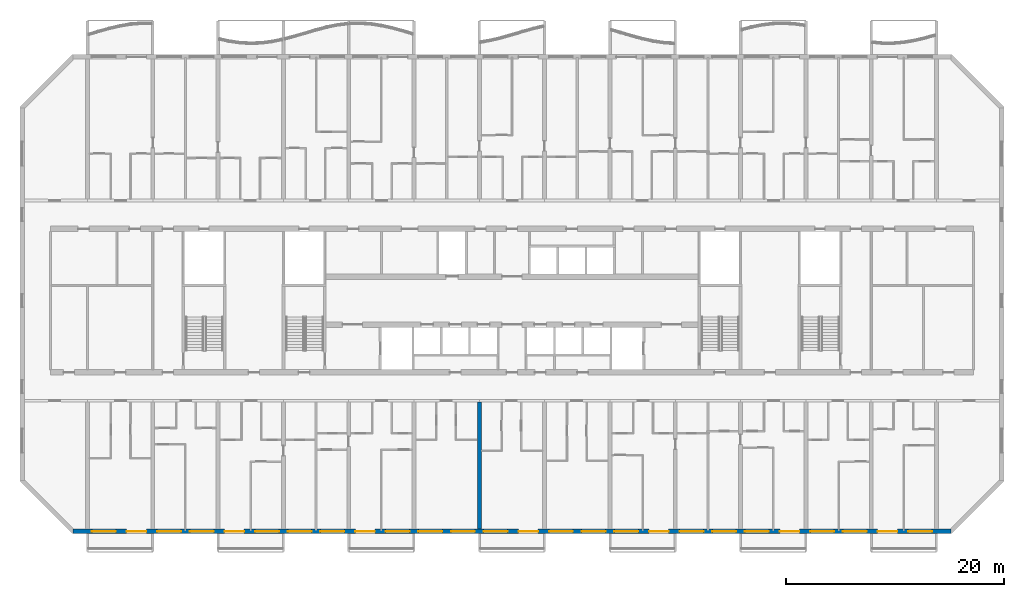
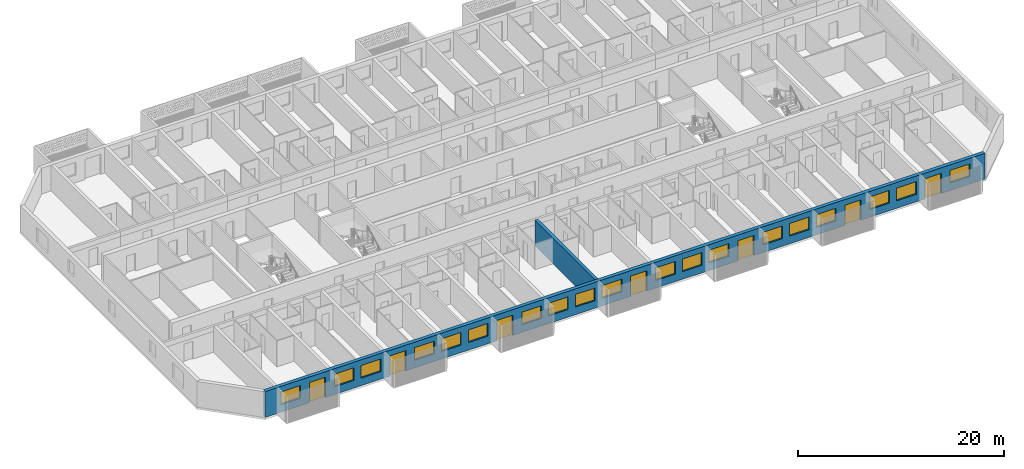
# One storey, part 4 of 25: 19 windows, 7 doors, 2 walls, 26 openings.
"""IFC4 building model written with IfcOpenShell, lengths in metres."""

from ifc_helpers import new_model, si_unit, direction, frame, frame_2d, origin, place, context, subcontext, project, spatial, rectangle, extrude, material, layer, layer_set, type_object, element, fill, save


model = new_model("IFC4")

# Units and contexts
model_context = context("Model", 3, precision=1e-05, world=origin(), true_north=direction((0.0, 1.0)))
body_context = subcontext(model_context, "Body", "Model", "MODEL_VIEW")
ifc_project = project(units=[si_unit("LENGTHUNIT", "METRE"), si_unit("AREAUNIT", "SQUARE_METRE"), si_unit("VOLUMEUNIT", "CUBIC_METRE"), si_unit("PLANEANGLEUNIT", "RADIAN"), si_unit("MASSUNIT", "GRAM", prefix="KILO")], contexts=[model_context])

# Site, building, storey
site_placement = place(None, origin())
site = spatial("IfcSite", under=ifc_project, at=site_placement, CompositionType="ELEMENT")
building_placement = place(site_placement, origin())
building = spatial("IfcBuilding", under=site, at=building_placement, Name="Poui Terraces", CompositionType="ELEMENT")
storey_placement = place(building_placement, frame((0.0, 0.0, 89.39990234375)))
storey = spatial("IfcBuildingStorey", under=building, at=storey_placement, Name="L24", CompositionType="ELEMENT", Elevation=89.39990234375)

# Wall
ifc_material_1 = material(Name="Concrete 65 MPa", Category="concrete")
ifc_layer_1 = layer(ifc_material_1, 0.35009765625)
ifc_layer_set_1 = layer_set([ifc_layer_1], Name="Concrete 65 MPa")
wall_type_1 = type_object("IfcWallType", Name="CROSS WALL 350 65MPa", PredefinedType="SHEAR", material=ifc_layer_set_1)
wall_1_placement = place(storey_placement, frame((48.0, 0.199951171875, 0.0), z_axis=(0.0, 0.0, 1.0), x_axis=(0.0, 1.0, 0.0)))
element("IfcWall", 1, at=wall_1_placement, inside=storey, type_object=wall_type_1, Name="CROSS WALL LINE 9 SOUTH", PredefinedType="SHEAR", context=body_context, shape_type="SweptSolid", body=[
    extrude(rectangle(XDim=11.675048828125, YDim=0.35009765625, at=frame_2d((5.83740234375, 0.0))), origin(), (0.0, 0.0, 1.0), 3.06005859375),
])

# Wall, openings, doors, windows
ifc_material_2 = material(Name="Precast concrete 40 MPa", Category="concrete")
ifc_layer_2 = layer(ifc_material_2, 0.39990234375)
ifc_layer_set_2 = layer_set([ifc_layer_2], Name="Precast concrete 40 MPa")
wall_type_2 = type_object("IfcWallType", Name="EXTERNAL WALL 400", PredefinedType="STANDARD", material=ifc_layer_set_2)
wall_2_placement = place(storey_placement, frame((10.682861328125, 0.0, 0.0), z_axis=(0.0, 0.0, 1.0), x_axis=(1.0, 0.0, 0.0)))
wall_2 = element("IfcWall", 2, at=wall_2_placement, inside=storey, type_object=wall_type_2, Name="EXTERNAL WALL S", PredefinedType="STANDARD", context=body_context, shape_type="SweptSolid", body=[
    extrude(rectangle(XDim=80.63427734375, YDim=0.39990234375, at=frame_2d((40.317138671875, 0.0))), origin(), (0.0, 0.0, 1.0), 3.06005859375),
])
opening_1_placement = place(wall_2_placement, frame((1.71728515625, 0.0, 0.89990234375)))
opening_1 = element("IfcOpeningElement", 3, at=opening_1_placement, cuts=wall_2, Name="Opening W1", PredefinedType="OPENING", context=body_context, shape_type="SweptSolid", body=[
    extrude(rectangle(XDim=2.199951171875, YDim=1.5, at=frame_2d((1.10009765625, 0.75))), frame((0.0, 0.2099609375, 0.0), z_axis=(0.0, -1.0, 0.0), x_axis=(1.0, 0.0, 0.0)), (0.0, 0.0, 1.0), 0.419921875),
])
opening_2_placement = place(wall_2_placement, frame((4.917236328125, 0.0, 0.0)))
opening_2 = element("IfcOpeningElement", 4, at=opening_2_placement, cuts=wall_2, Name="Opening BD1", PredefinedType="OPENING", context=body_context, shape_type="SweptSolid", body=[
    extrude(rectangle(XDim=1.800048828125, YDim=2.39990234375, at=frame_2d((0.89990234375, 1.199951171875))), frame((0.0, 0.2099609375, 0.0), z_axis=(0.0, -1.0, 0.0), x_axis=(1.0, 0.0, 0.0)), (0.0, 0.0, 1.0), 0.419921875),
])
opening_3_placement = place(wall_2_placement, frame((7.71728515625, 0.0, 0.89990234375)))
opening_3 = element("IfcOpeningElement", 5, at=opening_3_placement, cuts=wall_2, Name="Opening W1", PredefinedType="OPENING", context=body_context, shape_type="SweptSolid", body=[
    extrude(rectangle(XDim=2.199951171875, YDim=1.5, at=frame_2d((1.10009765625, 0.75))), frame((0.0, 0.2099609375, 0.0), z_axis=(0.0, -1.0, 0.0), x_axis=(1.0, 0.0, 0.0)), (0.0, 0.0, 1.0), 0.419921875),
])
opening_4_placement = place(wall_2_placement, frame((10.71728515625, 0.0, 0.89990234375)))
opening_4 = element("IfcOpeningElement", 6, at=opening_4_placement, cuts=wall_2, Name="Opening W1", PredefinedType="OPENING", context=body_context, shape_type="SweptSolid", body=[
    extrude(rectangle(XDim=2.199951171875, YDim=1.5, at=frame_2d((1.10009765625, 0.75))), frame((0.0, 0.2099609375, 0.0), z_axis=(0.0, -1.0, 0.0), x_axis=(1.0, 0.0, 0.0)), (0.0, 0.0, 1.0), 0.419921875),
])
opening_5_placement = place(wall_2_placement, frame((13.917236328125, 0.0, 0.0)))
opening_5 = element("IfcOpeningElement", 7, at=opening_5_placement, cuts=wall_2, Name="Opening BD1", PredefinedType="OPENING", context=body_context, shape_type="SweptSolid", body=[
    extrude(rectangle(XDim=1.800048828125, YDim=2.39990234375, at=frame_2d((0.89990234375, 1.199951171875))), frame((0.0, 0.2099609375, 0.0), z_axis=(0.0, -1.0, 0.0), x_axis=(1.0, 0.0, 0.0)), (0.0, 0.0, 1.0), 0.419921875),
])
opening_6_placement = place(wall_2_placement, frame((16.71728515625, 0.0, 0.89990234375)))
opening_6 = element("IfcOpeningElement", 8, at=opening_6_placement, cuts=wall_2, Name="Opening W1", PredefinedType="OPENING", context=body_context, shape_type="SweptSolid", body=[
    extrude(rectangle(XDim=2.199951171875, YDim=1.5, at=frame_2d((1.10009765625, 0.75))), frame((0.0, 0.2099609375, 0.0), z_axis=(0.0, -1.0, 0.0), x_axis=(1.0, 0.0, 0.0)), (0.0, 0.0, 1.0), 0.419921875),
])
opening_7_placement = place(wall_2_placement, frame((19.71728515625, 0.0, 0.89990234375)))
opening_7 = element("IfcOpeningElement", 9, at=opening_7_placement, cuts=wall_2, Name="Opening W1", PredefinedType="OPENING", context=body_context, shape_type="SweptSolid", body=[
    extrude(rectangle(XDim=2.199951171875, YDim=1.5, at=frame_2d((1.10009765625, 0.75))), frame((0.0, 0.2099609375, 0.0), z_axis=(0.0, -1.0, 0.0), x_axis=(1.0, 0.0, 0.0)), (0.0, 0.0, 1.0), 0.419921875),
])
opening_8_placement = place(wall_2_placement, frame((22.71728515625, 0.0, 0.89990234375)))
opening_8 = element("IfcOpeningElement", 10, at=opening_8_placement, cuts=wall_2, Name="Opening W1", PredefinedType="OPENING", context=body_context, shape_type="SweptSolid", body=[
    extrude(rectangle(XDim=2.199951171875, YDim=1.5, at=frame_2d((1.10009765625, 0.75))), frame((0.0, 0.2099609375, 0.0), z_axis=(0.0, -1.0, 0.0), x_axis=(1.0, 0.0, 0.0)), (0.0, 0.0, 1.0), 0.419921875),
])
opening_9_placement = place(wall_2_placement, frame((25.917236328125, 0.0, 0.0)))
opening_9 = element("IfcOpeningElement", 11, at=opening_9_placement, cuts=wall_2, Name="Opening BD1", PredefinedType="OPENING", context=body_context, shape_type="SweptSolid", body=[
    extrude(rectangle(XDim=1.800048828125, YDim=2.39990234375, at=frame_2d((0.89990234375, 1.199951171875))), frame((0.0, 0.2099609375, 0.0), z_axis=(0.0, -1.0, 0.0), x_axis=(1.0, 0.0, 0.0)), (0.0, 0.0, 1.0), 0.419921875),
])
opening_10_placement = place(wall_2_placement, frame((28.71728515625, 0.0, 0.89990234375)))
opening_10 = element("IfcOpeningElement", 12, at=opening_10_placement, cuts=wall_2, Name="Opening W1", PredefinedType="OPENING", context=body_context, shape_type="SweptSolid", body=[
    extrude(rectangle(XDim=2.199951171875, YDim=1.5, at=frame_2d((1.10009765625, 0.75))), frame((0.0, 0.2099609375, 0.0), z_axis=(0.0, -1.0, 0.0), x_axis=(1.0, 0.0, 0.0)), (0.0, 0.0, 1.0), 0.419921875),
])
opening_11_placement = place(wall_2_placement, frame((31.71728515625, 0.0, 0.89990234375)))
opening_11 = element("IfcOpeningElement", 13, at=opening_11_placement, cuts=wall_2, Name="Opening W1", PredefinedType="OPENING", context=body_context, shape_type="SweptSolid", body=[
    extrude(rectangle(XDim=2.199951171875, YDim=1.5, at=frame_2d((1.10009765625, 0.75))), frame((0.0, 0.2099609375, 0.0), z_axis=(0.0, -1.0, 0.0), x_axis=(1.0, 0.0, 0.0)), (0.0, 0.0, 1.0), 0.419921875),
])
opening_12_placement = place(wall_2_placement, frame((34.71728515625, 0.0, 0.89990234375)))
opening_12 = element("IfcOpeningElement", 14, at=opening_12_placement, cuts=wall_2, Name="Opening W1", PredefinedType="OPENING", context=body_context, shape_type="SweptSolid", body=[
    extrude(rectangle(XDim=2.199951171875, YDim=1.5, at=frame_2d((1.10009765625, 0.75))), frame((0.0, 0.2099609375, 0.0), z_axis=(0.0, -1.0, 0.0), x_axis=(1.0, 0.0, 0.0)), (0.0, 0.0, 1.0), 0.419921875),
])
opening_13_placement = place(wall_2_placement, frame((37.71728515625, 0.0, 0.89990234375)))
opening_13 = element("IfcOpeningElement", 15, at=opening_13_placement, cuts=wall_2, Name="Opening W1", PredefinedType="OPENING", context=body_context, shape_type="SweptSolid", body=[
    extrude(rectangle(XDim=2.199951171875, YDim=1.5, at=frame_2d((1.10009765625, 0.75))), frame((0.0, 0.2099609375, 0.0), z_axis=(0.0, -1.0, 0.0), x_axis=(1.0, 0.0, 0.0)), (0.0, 0.0, 1.0), 0.419921875),
])
opening_14_placement = place(wall_2_placement, frame((40.917236328125, 0.0, 0.0)))
opening_14 = element("IfcOpeningElement", 16, at=opening_14_placement, cuts=wall_2, Name="Opening BD1", PredefinedType="OPENING", context=body_context, shape_type="SweptSolid", body=[
    extrude(rectangle(XDim=1.800048828125, YDim=2.39990234375, at=frame_2d((0.89990234375, 1.199951171875))), frame((0.0, 0.2099609375, 0.0), z_axis=(0.0, -1.0, 0.0), x_axis=(1.0, 0.0, 0.0)), (0.0, 0.0, 1.0), 0.419921875),
])
opening_15_placement = place(wall_2_placement, frame((43.71728515625, 0.0, 0.89990234375)))
opening_15 = element("IfcOpeningElement", 17, at=opening_15_placement, cuts=wall_2, Name="Opening W1", PredefinedType="OPENING", context=body_context, shape_type="SweptSolid", body=[
    extrude(rectangle(XDim=2.199951171875, YDim=1.5, at=frame_2d((1.10009765625, 0.75))), frame((0.0, 0.2099609375, 0.0), z_axis=(0.0, -1.0, 0.0), x_axis=(1.0, 0.0, 0.0)), (0.0, 0.0, 1.0), 0.419921875),
])
opening_16_placement = place(wall_2_placement, frame((46.71728515625, 0.0, 0.89990234375)))
opening_16 = element("IfcOpeningElement", 18, at=opening_16_placement, cuts=wall_2, Name="Opening W1", PredefinedType="OPENING", context=body_context, shape_type="SweptSolid", body=[
    extrude(rectangle(XDim=2.199951171875, YDim=1.5, at=frame_2d((1.10009765625, 0.75))), frame((0.0, 0.2099609375, 0.0), z_axis=(0.0, -1.0, 0.0), x_axis=(1.0, 0.0, 0.0)), (0.0, 0.0, 1.0), 0.419921875),
])
opening_17_placement = place(wall_2_placement, frame((49.71728515625, 0.0, 0.89990234375)))
opening_17 = element("IfcOpeningElement", 19, at=opening_17_placement, cuts=wall_2, Name="Opening W1", PredefinedType="OPENING", context=body_context, shape_type="SweptSolid", body=[
    extrude(rectangle(XDim=2.199951171875, YDim=1.5, at=frame_2d((1.10009765625, 0.75))), frame((0.0, 0.2099609375, 0.0), z_axis=(0.0, -1.0, 0.0), x_axis=(1.0, 0.0, 0.0)), (0.0, 0.0, 1.0), 0.419921875),
])
opening_18_placement = place(wall_2_placement, frame((52.917236328125, 0.0, 0.0)))
opening_18 = element("IfcOpeningElement", 20, at=opening_18_placement, cuts=wall_2, Name="Opening BD1", PredefinedType="OPENING", context=body_context, shape_type="SweptSolid", body=[
    extrude(rectangle(XDim=1.800048828125, YDim=2.39990234375, at=frame_2d((0.89990234375, 1.199951171875))), frame((0.0, 0.2099609375, 0.0), z_axis=(0.0, -1.0, 0.0), x_axis=(1.0, 0.0, 0.0)), (0.0, 0.0, 1.0), 0.419921875),
])
opening_19_placement = place(wall_2_placement, frame((55.71728515625, 0.0, 0.89990234375)))
opening_19 = element("IfcOpeningElement", 21, at=opening_19_placement, cuts=wall_2, Name="Opening W1", PredefinedType="OPENING", context=body_context, shape_type="SweptSolid", body=[
    extrude(rectangle(XDim=2.199951171875, YDim=1.5, at=frame_2d((1.10009765625, 0.75))), frame((0.0, 0.2099609375, 0.0), z_axis=(0.0, -1.0, 0.0), x_axis=(1.0, 0.0, 0.0)), (0.0, 0.0, 1.0), 0.419921875),
])
opening_20_placement = place(wall_2_placement, frame((58.71728515625, 0.0, 0.89990234375)))
opening_20 = element("IfcOpeningElement", 22, at=opening_20_placement, cuts=wall_2, Name="Opening W1", PredefinedType="OPENING", context=body_context, shape_type="SweptSolid", body=[
    extrude(rectangle(XDim=2.199951171875, YDim=1.5, at=frame_2d((1.10009765625, 0.75))), frame((0.0, 0.2099609375, 0.0), z_axis=(0.0, -1.0, 0.0), x_axis=(1.0, 0.0, 0.0)), (0.0, 0.0, 1.0), 0.419921875),
])
opening_21_placement = place(wall_2_placement, frame((61.71728515625, 0.0, 0.89990234375)))
opening_21 = element("IfcOpeningElement", 23, at=opening_21_placement, cuts=wall_2, Name="Opening W1", PredefinedType="OPENING", context=body_context, shape_type="SweptSolid", body=[
    extrude(rectangle(XDim=2.199951171875, YDim=1.5, at=frame_2d((1.10009765625, 0.75))), frame((0.0, 0.2099609375, 0.0), z_axis=(0.0, -1.0, 0.0), x_axis=(1.0, 0.0, 0.0)), (0.0, 0.0, 1.0), 0.419921875),
])
opening_22_placement = place(wall_2_placement, frame((64.917236328125, 0.0, 0.0)))
opening_22 = element("IfcOpeningElement", 24, at=opening_22_placement, cuts=wall_2, Name="Opening BD1", PredefinedType="OPENING", context=body_context, shape_type="SweptSolid", body=[
    extrude(rectangle(XDim=1.800048828125, YDim=2.39990234375, at=frame_2d((0.89990234375, 1.199951171875))), frame((0.0, 0.2099609375, 0.0), z_axis=(0.0, -1.0, 0.0), x_axis=(1.0, 0.0, 0.0)), (0.0, 0.0, 1.0), 0.419921875),
])
opening_23_placement = place(wall_2_placement, frame((67.71728515625, 0.0, 0.89990234375)))
opening_23 = element("IfcOpeningElement", 25, at=opening_23_placement, cuts=wall_2, Name="Opening W1", PredefinedType="OPENING", context=body_context, shape_type="SweptSolid", body=[
    extrude(rectangle(XDim=2.199951171875, YDim=1.5, at=frame_2d((1.10009765625, 0.75))), frame((0.0, 0.2099609375, 0.0), z_axis=(0.0, -1.0, 0.0), x_axis=(1.0, 0.0, 0.0)), (0.0, 0.0, 1.0), 0.419921875),
])
opening_24_placement = place(wall_2_placement, frame((70.71728515625, 0.0, 0.89990234375)))
opening_24 = element("IfcOpeningElement", 26, at=opening_24_placement, cuts=wall_2, Name="Opening W1", PredefinedType="OPENING", context=body_context, shape_type="SweptSolid", body=[
    extrude(rectangle(XDim=2.199951171875, YDim=1.5, at=frame_2d((1.10009765625, 0.75))), frame((0.0, 0.2099609375, 0.0), z_axis=(0.0, -1.0, 0.0), x_axis=(1.0, 0.0, 0.0)), (0.0, 0.0, 1.0), 0.419921875),
])
opening_25_placement = place(wall_2_placement, frame((73.917236328125, 0.0, 0.0)))
opening_25 = element("IfcOpeningElement", 27, at=opening_25_placement, cuts=wall_2, Name="Opening BD1", PredefinedType="OPENING", context=body_context, shape_type="SweptSolid", body=[
    extrude(rectangle(XDim=1.800048828125, YDim=2.39990234375, at=frame_2d((0.89990234375, 1.199951171875))), frame((0.0, 0.2099609375, 0.0), z_axis=(0.0, -1.0, 0.0), x_axis=(1.0, 0.0, 0.0)), (0.0, 0.0, 1.0), 0.419921875),
])
opening_26_placement = place(wall_2_placement, frame((76.71728515625, 0.0, 0.89990234375)))
opening_26 = element("IfcOpeningElement", 28, at=opening_26_placement, cuts=wall_2, Name="Opening W1", PredefinedType="OPENING", context=body_context, shape_type="SweptSolid", body=[
    extrude(rectangle(XDim=2.199951171875, YDim=1.5, at=frame_2d((1.10009765625, 0.75))), frame((0.0, 0.2099609375, 0.0), z_axis=(0.0, -1.0, 0.0), x_axis=(1.0, 0.0, 0.0)), (0.0, 0.0, 1.0), 0.419921875),
])
ifc_material_3 = material(Name="Clear glass in aluminium frame", Category="aluminium")
door_type = type_object("IfcDoorType", Name="BALCONY DOOR 1800X2400", OperationType="DOUBLE_DOOR_SLIDING", PredefinedType="DOOR", material=ifc_material_3)
door_1_placement = place(opening_2_placement, origin())
door_1 = element("IfcDoor", 29, at=door_1_placement, inside=storey, type_object=door_type, Name="BD1 BALCONY DOOR", OperationType="DOUBLE_DOOR_SLIDING", OverallHeight=2.39990234375, OverallWidth=1.800048828125, PredefinedType="DOOR", context=body_context, shape_type="SweptSolid", body=[
    extrude(rectangle(XDim=1.800048828125, YDim=2.39990234375, at=frame_2d((0.89990234375, 1.199951171875))), frame((0.0, 0.02490234375, 0.0), z_axis=(0.0, -1.0, 0.0), x_axis=(1.0, 0.0, 0.0)), (0.0, 0.0, 1.0), 0.050048828125),
])
fill(opening_2, door_1)
door_2_placement = place(opening_5_placement, origin())
door_2 = element("IfcDoor", 30, at=door_2_placement, inside=storey, type_object=door_type, Name="BD1 BALCONY DOOR", OperationType="DOUBLE_DOOR_SLIDING", OverallHeight=2.39990234375, OverallWidth=1.800048828125, PredefinedType="DOOR", context=body_context, shape_type="SweptSolid", body=[
    extrude(rectangle(XDim=1.800048828125, YDim=2.39990234375, at=frame_2d((0.89990234375, 1.199951171875))), frame((0.0, 0.02490234375, 0.0), z_axis=(0.0, -1.0, 0.0), x_axis=(1.0, 0.0, 0.0)), (0.0, 0.0, 1.0), 0.050048828125),
])
fill(opening_5, door_2)
door_3_placement = place(opening_9_placement, origin())
door_3 = element("IfcDoor", 31, at=door_3_placement, inside=storey, type_object=door_type, Name="BD1 BALCONY DOOR", OperationType="DOUBLE_DOOR_SLIDING", OverallHeight=2.39990234375, OverallWidth=1.800048828125, PredefinedType="DOOR", context=body_context, shape_type="SweptSolid", body=[
    extrude(rectangle(XDim=1.800048828125, YDim=2.39990234375, at=frame_2d((0.89990234375, 1.199951171875))), frame((0.0, 0.02490234375, 0.0), z_axis=(0.0, -1.0, 0.0), x_axis=(1.0, 0.0, 0.0)), (0.0, 0.0, 1.0), 0.050048828125),
])
fill(opening_9, door_3)
door_4_placement = place(opening_14_placement, origin())
door_4 = element("IfcDoor", 32, at=door_4_placement, inside=storey, type_object=door_type, Name="BD1 BALCONY DOOR", OperationType="DOUBLE_DOOR_SLIDING", OverallHeight=2.39990234375, OverallWidth=1.800048828125, PredefinedType="DOOR", context=body_context, shape_type="SweptSolid", body=[
    extrude(rectangle(XDim=1.800048828125, YDim=2.39990234375, at=frame_2d((0.89990234375, 1.199951171875))), frame((0.0, 0.02490234375, 0.0), z_axis=(0.0, -1.0, 0.0), x_axis=(1.0, 0.0, 0.0)), (0.0, 0.0, 1.0), 0.050048828125),
])
fill(opening_14, door_4)
door_5_placement = place(opening_18_placement, origin())
door_5 = element("IfcDoor", 33, at=door_5_placement, inside=storey, type_object=door_type, Name="BD1 BALCONY DOOR", OperationType="DOUBLE_DOOR_SLIDING", OverallHeight=2.39990234375, OverallWidth=1.800048828125, PredefinedType="DOOR", context=body_context, shape_type="SweptSolid", body=[
    extrude(rectangle(XDim=1.800048828125, YDim=2.39990234375, at=frame_2d((0.89990234375, 1.199951171875))), frame((0.0, 0.02490234375, 0.0), z_axis=(0.0, -1.0, 0.0), x_axis=(1.0, 0.0, 0.0)), (0.0, 0.0, 1.0), 0.050048828125),
])
fill(opening_18, door_5)
door_6_placement = place(opening_22_placement, origin())
door_6 = element("IfcDoor", 34, at=door_6_placement, inside=storey, type_object=door_type, Name="BD1 BALCONY DOOR", OperationType="DOUBLE_DOOR_SLIDING", OverallHeight=2.39990234375, OverallWidth=1.800048828125, PredefinedType="DOOR", context=body_context, shape_type="SweptSolid", body=[
    extrude(rectangle(XDim=1.800048828125, YDim=2.39990234375, at=frame_2d((0.89990234375, 1.199951171875))), frame((0.0, 0.02490234375, 0.0), z_axis=(0.0, -1.0, 0.0), x_axis=(1.0, 0.0, 0.0)), (0.0, 0.0, 1.0), 0.050048828125),
])
fill(opening_22, door_6)
door_7_placement = place(opening_25_placement, origin())
door_7 = element("IfcDoor", 35, at=door_7_placement, inside=storey, type_object=door_type, Name="BD1 BALCONY DOOR", OperationType="DOUBLE_DOOR_SLIDING", OverallHeight=2.39990234375, OverallWidth=1.800048828125, PredefinedType="DOOR", context=body_context, shape_type="SweptSolid", body=[
    extrude(rectangle(XDim=1.800048828125, YDim=2.39990234375, at=frame_2d((0.89990234375, 1.199951171875))), frame((0.0, 0.02490234375, 0.0), z_axis=(0.0, -1.0, 0.0), x_axis=(1.0, 0.0, 0.0)), (0.0, 0.0, 1.0), 0.050048828125),
])
fill(opening_25, door_7)
window_type = type_object("IfcWindowType", Name="WINDOW 2200X1500", PartitioningType="DOUBLE_PANEL_HORIZONTAL", PredefinedType="WINDOW", material=ifc_material_3)
window_1_placement = place(opening_1_placement, origin())
window_1 = element("IfcWindow", 36, at=window_1_placement, inside=storey, type_object=window_type, Name="W1 WINDOW", OverallHeight=1.5, OverallWidth=2.199951171875, PartitioningType="DOUBLE_PANEL_HORIZONTAL", PredefinedType="WINDOW", context=body_context, shape_type="SweptSolid", body=[
    extrude(rectangle(XDim=2.199951171875, YDim=1.5, at=frame_2d((1.10009765625, 0.75))), frame((0.0, 0.030029296875, 0.0), z_axis=(0.0, -1.0, 0.0), x_axis=(1.0, 0.0, 0.0)), (0.0, 0.0, 1.0), 0.06005859375),
])
fill(opening_1, window_1)
window_2_placement = place(opening_3_placement, origin())
window_2 = element("IfcWindow", 37, at=window_2_placement, inside=storey, type_object=window_type, Name="W1 WINDOW", OverallHeight=1.5, OverallWidth=2.199951171875, PartitioningType="DOUBLE_PANEL_HORIZONTAL", PredefinedType="WINDOW", context=body_context, shape_type="SweptSolid", body=[
    extrude(rectangle(XDim=2.199951171875, YDim=1.5, at=frame_2d((1.10009765625, 0.75))), frame((0.0, 0.030029296875, 0.0), z_axis=(0.0, -1.0, 0.0), x_axis=(1.0, 0.0, 0.0)), (0.0, 0.0, 1.0), 0.06005859375),
])
fill(opening_3, window_2)
window_3_placement = place(opening_4_placement, origin())
window_3 = element("IfcWindow", 38, at=window_3_placement, inside=storey, type_object=window_type, Name="W1 WINDOW", OverallHeight=1.5, OverallWidth=2.199951171875, PartitioningType="DOUBLE_PANEL_HORIZONTAL", PredefinedType="WINDOW", context=body_context, shape_type="SweptSolid", body=[
    extrude(rectangle(XDim=2.199951171875, YDim=1.5, at=frame_2d((1.10009765625, 0.75))), frame((0.0, 0.030029296875, 0.0), z_axis=(0.0, -1.0, 0.0), x_axis=(1.0, 0.0, 0.0)), (0.0, 0.0, 1.0), 0.06005859375),
])
fill(opening_4, window_3)
window_4_placement = place(opening_6_placement, origin())
window_4 = element("IfcWindow", 39, at=window_4_placement, inside=storey, type_object=window_type, Name="W1 WINDOW", OverallHeight=1.5, OverallWidth=2.199951171875, PartitioningType="DOUBLE_PANEL_HORIZONTAL", PredefinedType="WINDOW", context=body_context, shape_type="SweptSolid", body=[
    extrude(rectangle(XDim=2.199951171875, YDim=1.5, at=frame_2d((1.10009765625, 0.75))), frame((0.0, 0.030029296875, 0.0), z_axis=(0.0, -1.0, 0.0), x_axis=(1.0, 0.0, 0.0)), (0.0, 0.0, 1.0), 0.06005859375),
])
fill(opening_6, window_4)
window_5_placement = place(opening_7_placement, origin())
window_5 = element("IfcWindow", 40, at=window_5_placement, inside=storey, type_object=window_type, Name="W1 WINDOW", OverallHeight=1.5, OverallWidth=2.199951171875, PartitioningType="DOUBLE_PANEL_HORIZONTAL", PredefinedType="WINDOW", context=body_context, shape_type="SweptSolid", body=[
    extrude(rectangle(XDim=2.199951171875, YDim=1.5, at=frame_2d((1.10009765625, 0.75))), frame((0.0, 0.030029296875, 0.0), z_axis=(0.0, -1.0, 0.0), x_axis=(1.0, 0.0, 0.0)), (0.0, 0.0, 1.0), 0.06005859375),
])
fill(opening_7, window_5)
window_6_placement = place(opening_8_placement, origin())
window_6 = element("IfcWindow", 41, at=window_6_placement, inside=storey, type_object=window_type, Name="W1 WINDOW", OverallHeight=1.5, OverallWidth=2.199951171875, PartitioningType="DOUBLE_PANEL_HORIZONTAL", PredefinedType="WINDOW", context=body_context, shape_type="SweptSolid", body=[
    extrude(rectangle(XDim=2.199951171875, YDim=1.5, at=frame_2d((1.10009765625, 0.75))), frame((0.0, 0.030029296875, 0.0), z_axis=(0.0, -1.0, 0.0), x_axis=(1.0, 0.0, 0.0)), (0.0, 0.0, 1.0), 0.06005859375),
])
fill(opening_8, window_6)
window_7_placement = place(opening_10_placement, origin())
window_7 = element("IfcWindow", 42, at=window_7_placement, inside=storey, type_object=window_type, Name="W1 WINDOW", OverallHeight=1.5, OverallWidth=2.199951171875, PartitioningType="DOUBLE_PANEL_HORIZONTAL", PredefinedType="WINDOW", context=body_context, shape_type="SweptSolid", body=[
    extrude(rectangle(XDim=2.199951171875, YDim=1.5, at=frame_2d((1.10009765625, 0.75))), frame((0.0, 0.030029296875, 0.0), z_axis=(0.0, -1.0, 0.0), x_axis=(1.0, 0.0, 0.0)), (0.0, 0.0, 1.0), 0.06005859375),
])
fill(opening_10, window_7)
window_8_placement = place(opening_11_placement, origin())
window_8 = element("IfcWindow", 43, at=window_8_placement, inside=storey, type_object=window_type, Name="W1 WINDOW", OverallHeight=1.5, OverallWidth=2.199951171875, PartitioningType="DOUBLE_PANEL_HORIZONTAL", PredefinedType="WINDOW", context=body_context, shape_type="SweptSolid", body=[
    extrude(rectangle(XDim=2.199951171875, YDim=1.5, at=frame_2d((1.10009765625, 0.75))), frame((0.0, 0.030029296875, 0.0), z_axis=(0.0, -1.0, 0.0), x_axis=(1.0, 0.0, 0.0)), (0.0, 0.0, 1.0), 0.06005859375),
])
fill(opening_11, window_8)
window_9_placement = place(opening_12_placement, origin())
window_9 = element("IfcWindow", 44, at=window_9_placement, inside=storey, type_object=window_type, Name="W1 WINDOW", OverallHeight=1.5, OverallWidth=2.199951171875, PartitioningType="DOUBLE_PANEL_HORIZONTAL", PredefinedType="WINDOW", context=body_context, shape_type="SweptSolid", body=[
    extrude(rectangle(XDim=2.199951171875, YDim=1.5, at=frame_2d((1.10009765625, 0.75))), frame((0.0, 0.030029296875, 0.0), z_axis=(0.0, -1.0, 0.0), x_axis=(1.0, 0.0, 0.0)), (0.0, 0.0, 1.0), 0.06005859375),
])
fill(opening_12, window_9)
window_10_placement = place(opening_13_placement, origin())
window_10 = element("IfcWindow", 45, at=window_10_placement, inside=storey, type_object=window_type, Name="W1 WINDOW", OverallHeight=1.5, OverallWidth=2.199951171875, PartitioningType="DOUBLE_PANEL_HORIZONTAL", PredefinedType="WINDOW", context=body_context, shape_type="SweptSolid", body=[
    extrude(rectangle(XDim=2.199951171875, YDim=1.5, at=frame_2d((1.10009765625, 0.75))), frame((0.0, 0.030029296875, 0.0), z_axis=(0.0, -1.0, 0.0), x_axis=(1.0, 0.0, 0.0)), (0.0, 0.0, 1.0), 0.06005859375),
])
fill(opening_13, window_10)
window_11_placement = place(opening_15_placement, origin())
window_11 = element("IfcWindow", 46, at=window_11_placement, inside=storey, type_object=window_type, Name="W1 WINDOW", OverallHeight=1.5, OverallWidth=2.199951171875, PartitioningType="DOUBLE_PANEL_HORIZONTAL", PredefinedType="WINDOW", context=body_context, shape_type="SweptSolid", body=[
    extrude(rectangle(XDim=2.199951171875, YDim=1.5, at=frame_2d((1.10009765625, 0.75))), frame((0.0, 0.030029296875, 0.0), z_axis=(0.0, -1.0, 0.0), x_axis=(1.0, 0.0, 0.0)), (0.0, 0.0, 1.0), 0.06005859375),
])
fill(opening_15, window_11)
window_12_placement = place(opening_16_placement, origin())
window_12 = element("IfcWindow", 47, at=window_12_placement, inside=storey, type_object=window_type, Name="W1 WINDOW", OverallHeight=1.5, OverallWidth=2.199951171875, PartitioningType="DOUBLE_PANEL_HORIZONTAL", PredefinedType="WINDOW", context=body_context, shape_type="SweptSolid", body=[
    extrude(rectangle(XDim=2.199951171875, YDim=1.5, at=frame_2d((1.10009765625, 0.75))), frame((0.0, 0.030029296875, 0.0), z_axis=(0.0, -1.0, 0.0), x_axis=(1.0, 0.0, 0.0)), (0.0, 0.0, 1.0), 0.06005859375),
])
fill(opening_16, window_12)
window_13_placement = place(opening_17_placement, origin())
window_13 = element("IfcWindow", 48, at=window_13_placement, inside=storey, type_object=window_type, Name="W1 WINDOW", OverallHeight=1.5, OverallWidth=2.199951171875, PartitioningType="DOUBLE_PANEL_HORIZONTAL", PredefinedType="WINDOW", context=body_context, shape_type="SweptSolid", body=[
    extrude(rectangle(XDim=2.199951171875, YDim=1.5, at=frame_2d((1.10009765625, 0.75))), frame((0.0, 0.030029296875, 0.0), z_axis=(0.0, -1.0, 0.0), x_axis=(1.0, 0.0, 0.0)), (0.0, 0.0, 1.0), 0.06005859375),
])
fill(opening_17, window_13)
window_14_placement = place(opening_19_placement, origin())
window_14 = element("IfcWindow", 49, at=window_14_placement, inside=storey, type_object=window_type, Name="W1 WINDOW", OverallHeight=1.5, OverallWidth=2.199951171875, PartitioningType="DOUBLE_PANEL_HORIZONTAL", PredefinedType="WINDOW", context=body_context, shape_type="SweptSolid", body=[
    extrude(rectangle(XDim=2.199951171875, YDim=1.5, at=frame_2d((1.10009765625, 0.75))), frame((0.0, 0.030029296875, 0.0), z_axis=(0.0, -1.0, 0.0), x_axis=(1.0, 0.0, 0.0)), (0.0, 0.0, 1.0), 0.06005859375),
])
fill(opening_19, window_14)
window_15_placement = place(opening_20_placement, origin())
window_15 = element("IfcWindow", 50, at=window_15_placement, inside=storey, type_object=window_type, Name="W1 WINDOW", OverallHeight=1.5, OverallWidth=2.199951171875, PartitioningType="DOUBLE_PANEL_HORIZONTAL", PredefinedType="WINDOW", context=body_context, shape_type="SweptSolid", body=[
    extrude(rectangle(XDim=2.199951171875, YDim=1.5, at=frame_2d((1.10009765625, 0.75))), frame((0.0, 0.030029296875, 0.0), z_axis=(0.0, -1.0, 0.0), x_axis=(1.0, 0.0, 0.0)), (0.0, 0.0, 1.0), 0.06005859375),
])
fill(opening_20, window_15)
window_16_placement = place(opening_21_placement, origin())
window_16 = element("IfcWindow", 51, at=window_16_placement, inside=storey, type_object=window_type, Name="W1 WINDOW", OverallHeight=1.5, OverallWidth=2.199951171875, PartitioningType="DOUBLE_PANEL_HORIZONTAL", PredefinedType="WINDOW", context=body_context, shape_type="SweptSolid", body=[
    extrude(rectangle(XDim=2.199951171875, YDim=1.5, at=frame_2d((1.10009765625, 0.75))), frame((0.0, 0.030029296875, 0.0), z_axis=(0.0, -1.0, 0.0), x_axis=(1.0, 0.0, 0.0)), (0.0, 0.0, 1.0), 0.06005859375),
])
fill(opening_21, window_16)
window_17_placement = place(opening_23_placement, origin())
window_17 = element("IfcWindow", 52, at=window_17_placement, inside=storey, type_object=window_type, Name="W1 WINDOW", OverallHeight=1.5, OverallWidth=2.199951171875, PartitioningType="DOUBLE_PANEL_HORIZONTAL", PredefinedType="WINDOW", context=body_context, shape_type="SweptSolid", body=[
    extrude(rectangle(XDim=2.199951171875, YDim=1.5, at=frame_2d((1.10009765625, 0.75))), frame((0.0, 0.030029296875, 0.0), z_axis=(0.0, -1.0, 0.0), x_axis=(1.0, 0.0, 0.0)), (0.0, 0.0, 1.0), 0.06005859375),
])
fill(opening_23, window_17)
window_18_placement = place(opening_24_placement, origin())
window_18 = element("IfcWindow", 53, at=window_18_placement, inside=storey, type_object=window_type, Name="W1 WINDOW", OverallHeight=1.5, OverallWidth=2.199951171875, PartitioningType="DOUBLE_PANEL_HORIZONTAL", PredefinedType="WINDOW", context=body_context, shape_type="SweptSolid", body=[
    extrude(rectangle(XDim=2.199951171875, YDim=1.5, at=frame_2d((1.10009765625, 0.75))), frame((0.0, 0.030029296875, 0.0), z_axis=(0.0, -1.0, 0.0), x_axis=(1.0, 0.0, 0.0)), (0.0, 0.0, 1.0), 0.06005859375),
])
fill(opening_24, window_18)
window_19_placement = place(opening_26_placement, origin())
window_19 = element("IfcWindow", 54, at=window_19_placement, inside=storey, type_object=window_type, Name="W1 WINDOW", OverallHeight=1.5, OverallWidth=2.199951171875, PartitioningType="DOUBLE_PANEL_HORIZONTAL", PredefinedType="WINDOW", context=body_context, shape_type="SweptSolid", body=[
    extrude(rectangle(XDim=2.199951171875, YDim=1.5, at=frame_2d((1.10009765625, 0.75))), frame((0.0, 0.030029296875, 0.0), z_axis=(0.0, -1.0, 0.0), x_axis=(1.0, 0.0, 0.0)), (0.0, 0.0, 1.0), 0.06005859375),
])
fill(opening_26, window_19)

save(model, "model.ifc")
